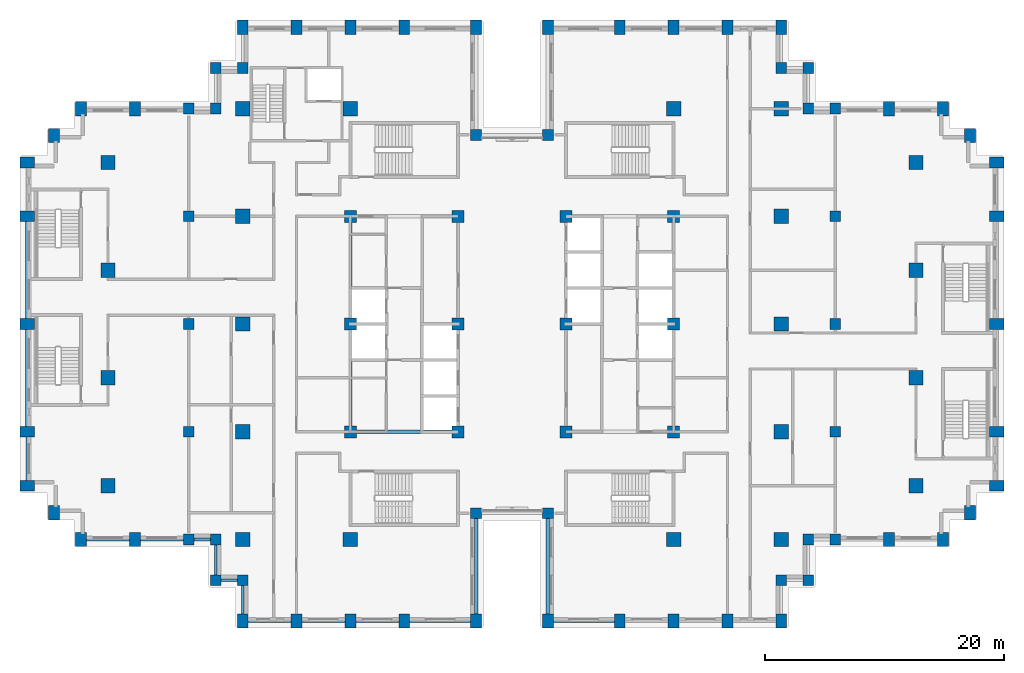
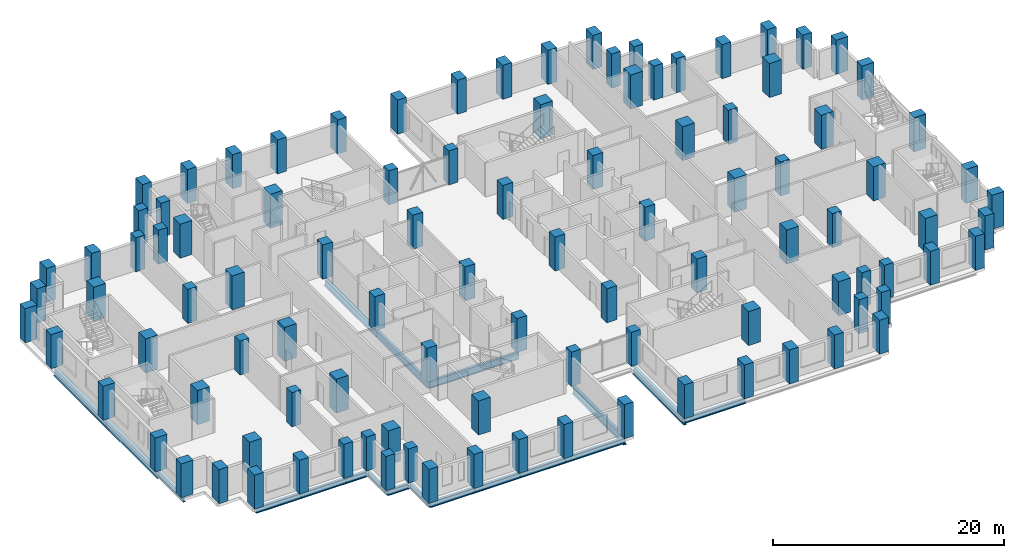
# One storey, part 1 of 16: 102 columns, 19 beams.
"""IFC4 building model written with IfcOpenShell, lengths in metres."""

import ifcopenshell
import ifcopenshell.guid

model = None  # the IFC model being written
_history = None  # IfcOwnerHistory: only IFC2X3 demands one
_inside = {}  # id of a spatial element -> (the spatial element, [elements in it])
_under = {}  # id of a project, library or spatial element -> (it, [spatial elements below it])
_declared = {}  # id of a project -> (the project, [libraries it declares])
_typed = {}  # id of a type object -> (the type object, [elements of that type])
_made_of = {}  # id of a material, layer set ... -> (it, [elements and type objects made of it])


def new_model(schema):
    """Start an empty IFC model of exactly this schema.

    Asked for "IFC4X3", IfcOpenShell would pick the latest addendum, in which some entities
    have other attributes; the version numbers below select the first issue.
    IFC2X3 requires an IfcOwnerHistory on every rooted entity: one is made here for all.
    """
    global model, _history
    if schema == "IFC4X3":
        model = ifcopenshell.file(schema_version=(4, 3, 0, 0))
    else:
        model = ifcopenshell.file(schema=schema)
    _inside.clear()
    _under.clear()
    _declared.clear()
    _typed.clear()
    _made_of.clear()
    _history = None
    if model.schema == "IFC2X3":
        org = make("IfcOrganization", Name="unknown")
        user = make(
            "IfcPersonAndOrganization",
            ThePerson=make("IfcPerson", FamilyName="unknown"),
            TheOrganization=org,
        )
        app = make(
            "IfcApplication",
            ApplicationDeveloper=org,
            Version="unknown",
            ApplicationFullName="unknown",
            ApplicationIdentifier="unknown",
        )
        _history = make(
            "IfcOwnerHistory",
            OwningUser=user,
            OwningApplication=app,
            ChangeAction="ADDED",
            CreationDate=0,
        )
    return model


def make(cls, **values):
    """One entity of the class cls with the attributes given. An attribute that is None is left unset."""
    return model.create_entity(
        cls, **{name: value for name, value in values.items() if value is not None}
    )


def rooted(cls, **values):
    """An entity with a GlobalId (a new one), such as an element, a storey or a relation."""
    return make(cls, GlobalId=ifcopenshell.guid.new(), OwnerHistory=_history, **values)


def si_unit(unit_type, name, prefix=None):
    """IfcSIUnit, for example si_unit("LENGTHUNIT", "METRE", prefix="MILLI")."""
    return make("IfcSIUnit", UnitType=unit_type, Prefix=prefix, Name=name)


def assignment(units):
    """IfcUnitAssignment: the units of a project."""
    return None if units is None else make("IfcUnitAssignment", Units=units)


def point(xyz):
    """IfcCartesianPoint."""
    return None if xyz is None else make("IfcCartesianPoint", Coordinates=xyz)


def direction(xyz):
    """IfcDirection."""
    return None if xyz is None else make("IfcDirection", DirectionRatios=xyz)


def frame(location, z_axis=None, x_axis=None):
    """IfcAxis2Placement3D, a coordinate frame: its origin and axes. An axis left out is left unset."""
    return make(
        "IfcAxis2Placement3D",
        Location=point(location),
        Axis=direction(z_axis),
        RefDirection=direction(x_axis),
    )


def frame_2d(location, x_axis=None):
    """IfcAxis2Placement2D, a coordinate frame in the plane: its origin and x axis."""
    return make(
        "IfcAxis2Placement2D", Location=point(location), RefDirection=direction(x_axis)
    )


def origin():
    """The frame at (0, 0, 0) with its axes left unset."""
    return frame((0.0, 0.0, 0.0))


def origin_2d():
    """The frame at (0, 0) in the plane with its x axis left unset."""
    return frame_2d((0.0, 0.0))


def place(relative_to, where):
    """IfcLocalPlacement: puts the frame where relative to a parent placement (None: the world)."""
    return make(
        "IfcLocalPlacement", PlacementRelTo=relative_to, RelativePlacement=where
    )


def context(
    kind, dimensions, precision=None, world=None, true_north=None, identifier=None
):
    """IfcGeometricRepresentationContext, for example the 3D "Model" context."""
    return make(
        "IfcGeometricRepresentationContext",
        ContextIdentifier=identifier,
        ContextType=kind,
        CoordinateSpaceDimension=dimensions,
        Precision=precision,
        WorldCoordinateSystem=world,
        TrueNorth=true_north,
    )


def subcontext(parent, identifier, kind, view, scale=None):
    """IfcGeometricRepresentationSubContext, for example "Body" below "Model"."""
    return make(
        "IfcGeometricRepresentationSubContext",
        ContextIdentifier=identifier,
        ContextType=kind,
        ParentContext=parent,
        TargetScale=scale,
        TargetView=view,
    )


def project(units=None, contexts=None):
    """IfcProject with its units and contexts."""
    return rooted(
        "IfcProject",
        Name="project",
        RepresentationContexts=contexts,
        UnitsInContext=assignment(units),
    )


def spatial(cls, under=None, at=None, **own):
    """A site, building, storey or space (cls), placed at a placement, below another one or the project."""
    s = rooted(cls, ObjectPlacement=at, **own)
    if under is not None:
        _under.setdefault(under.id(), (under, []))[1].append(s)
    return s


def profile(cls, at=None, kind="AREA", **sizes):
    """A parametric profile (cls). Its sizes go by their IFC names, for example OverallWidth=200.0."""
    return make(cls, ProfileType=kind, Position=at, **sizes)


def rectangle(**sizes):
    """IfcRectangleProfileDef."""
    return profile("IfcRectangleProfileDef", **sizes)


def i_section(**sizes):
    """IfcIShapeProfileDef."""
    return profile("IfcIShapeProfileDef", **sizes)


def extrude(swept, where, along, depth):
    """IfcExtrudedAreaSolid: the profile swept, set in the frame where, extruded along a direction by depth."""
    return make(
        "IfcExtrudedAreaSolid",
        SweptArea=swept,
        Position=where,
        ExtrudedDirection=direction(along),
        Depth=depth,
    )


def shape(context_of_items, identifier, shape_type, items):
    """IfcShapeRepresentation: the items that make up one representation, for example the "Body"."""
    return make(
        "IfcShapeRepresentation",
        ContextOfItems=context_of_items,
        RepresentationIdentifier=identifier,
        RepresentationType=shape_type,
        Items=items,
    )


def material(Name=None, Category=None):
    """IfcMaterial."""
    return make("IfcMaterial", Name=Name, Category=Category)


def material_profile(
    of_material, cross_section, Name=None, Category=None, Priority=None
):
    """IfcMaterialProfile: a cross section and its material."""
    return make(
        "IfcMaterialProfile",
        Name=Name,
        Material=of_material,
        Profile=cross_section,
        Priority=Priority,
        Category=Category,
    )


def profile_set(profiles, Name=None, composite=None):
    """IfcMaterialProfileSet."""
    return make(
        "IfcMaterialProfileSet",
        Name=Name,
        MaterialProfiles=profiles,
        CompositeProfile=composite,
    )


def made_of(thing, what):
    """Note that an element or type object is made of a material, layer set ...; save() writes the relation."""
    if what is not None:
        _made_of.setdefault(what.id(), (what, []))[1].append(thing)
    return thing


def type_object(cls, material=None, **own):
    """A type object (cls), such as IfcWallType, which elements share."""
    return made_of(rooted(cls, **own), material)


def element(
    cls,
    number,
    at=None,
    inside=None,
    cuts=None,
    type_object=None,
    material=None,
    context=None,
    identifier="Body",
    shape_type=None,
    held_by="IfcProductDefinitionShape",
    body=None,
    shapes=None,
    **own,
):
    """One element of the class cls, such as IfcWall. Its Tag is "e" and its number.

    at: its placement. inside: the storey or other place that contains it. cuts: it is an
    opening in that element (IfcRelVoidsElement). A single representation is given by context,
    identifier, shape_type and body (its items); several are given by shapes. held_by: the class
    of the entity that holds the representations. save() writes the other relations.
    """
    e = rooted(cls, Tag="e%d" % number, ObjectPlacement=at, **own)
    if body is not None:
        shapes = [shape(context, identifier, shape_type, body)]
    if shapes is not None:
        e.Representation = make(held_by, Representations=shapes)
    if inside is not None:
        _inside.setdefault(inside.id(), (inside, []))[1].append(e)
    if cuts is not None:
        rooted(
            "IfcRelVoidsElement", RelatingBuildingElement=cuts, RelatedOpeningElement=e
        )
    if type_object is not None:
        _typed.setdefault(type_object.id(), (type_object, []))[1].append(e)
    return made_of(e, material)


def aggregate(whole, parts):
    """IfcRelAggregates: a whole, such as a stair, and the parts it consists of."""
    return rooted("IfcRelAggregates", RelatingObject=whole, RelatedObjects=parts)


def save(model, path):
    """Write the relations noted so far, then the file.

    IfcRelAggregates (storeys below a building ...), IfcRelContainedInSpatialStructure (elements
    in a storey), IfcRelDefinesByType, IfcRelAssociatesMaterial and IfcRelDeclares: one each for
    every whole, place, type object, material and project.
    """
    for whole, parts in _under.values():
        aggregate(whole, parts)
    for where, things in _inside.values():
        rooted(
            "IfcRelContainedInSpatialStructure",
            RelatedElements=things,
            RelatingStructure=where,
        )
    for kind, things in _typed.values():
        rooted("IfcRelDefinesByType", RelatedObjects=things, RelatingType=kind)
    for what, things in _made_of.values():
        rooted("IfcRelAssociatesMaterial", RelatedObjects=things, RelatingMaterial=what)
    for by, libraries in _declared.values():
        rooted("IfcRelDeclares", RelatingContext=by, RelatedDefinitions=libraries)
    model.write(path)


model = new_model("IFC4")

# Units and contexts
model_context = context("Model", 3, precision=1e-05, world=origin(), true_north=direction((0.0, 1.0)))
body_context = subcontext(model_context, "Body", "Model", "MODEL_VIEW")
ifc_project = project(units=[si_unit("LENGTHUNIT", "METRE"), si_unit("AREAUNIT", "SQUARE_METRE"), si_unit("VOLUMEUNIT", "CUBIC_METRE"), si_unit("PLANEANGLEUNIT", "RADIAN"), si_unit("MASSUNIT", "GRAM", prefix="KILO")], contexts=[model_context])

# Site, building, storey
site_placement = place(None, origin())
site = spatial("IfcSite", under=ifc_project, at=site_placement, CompositionType="ELEMENT")
building_placement = place(site_placement, origin())
building = spatial("IfcBuilding", under=site, at=building_placement, Name="Corbelhall Arena Tower", CompositionType="ELEMENT")
storey_placement = place(building_placement, frame((0.0, 0.0, 116.0)))
storey = spatial("IfcBuildingStorey", under=building, at=storey_placement, Name="L21", CompositionType="ELEMENT", Elevation=116.0)

# Columns
ifc_material_1 = material(Name="Concrete C80/95", Category="concrete")
ifc_material_profile_1 = material_profile(ifc_material_1, rectangle(XDim=1.0, YDim=1.0, at=origin_2d()))
ifc_profile_set_1 = profile_set([ifc_material_profile_1], Name="Concrete C80/95")
column_type_1 = type_object("IfcColumnType", Name="ST-COL-RC 1000x1000", PredefinedType="COLUMN", material=ifc_profile_set_1)
for number, where, z_axis, x_axis, name in (
    (1, (4.5, 0.0, 0.0), (0.0, 0.0, 1.0), (1.0, 0.0, 0.0), "Column KE+0450+0000"),
    (2, (4.5, 9.0, 0.0), (0.0, 0.0, 1.0), (1.0, 0.0, 0.0), "Column KE+0450+0900"),
    (3, (4.5, -9.0, 0.0), (0.0, 0.0, 1.0), (1.0, 0.0, 0.0), "Column KE+0450-0900"),
    (4, (13.5, 0.0, 0.0), (0.0, 0.0, 1.0), (1.0, 0.0, 0.0), "Column KE+1350+0000"),
    (5, (13.5, 9.0, 0.0), (0.0, 0.0, 1.0), (1.0, 0.0, 0.0), "Column KE+1350+0900"),
    (6, (13.5, -9.0, 0.0), (0.0, 0.0, 1.0), (1.0, 0.0, 0.0), "Column KE+1350-0900"),
    (7, (-4.5, 0.0, 0.0), (0.0, 0.0, 1.0), (1.0, 0.0, 0.0), "Column KW-0450+0000"),
    (8, (-4.5, 9.0, 0.0), (0.0, 0.0, 1.0), (1.0, 0.0, 0.0), "Column KW-0450+0900"),
    (9, (-4.5, -9.0, 0.0), (0.0, 0.0, 1.0), (1.0, 0.0, 0.0), "Column KW-0450-0900"),
    (10, (-13.5, 0.0, 0.0), (0.0, 0.0, 1.0), (1.0, 0.0, 0.0), "Column KW-1350+0000"),
    (11, (-13.5, 9.0, 0.0), (0.0, 0.0, 1.0), (1.0, 0.0, 0.0), "Column KW-1350+0900"),
    (12, (-13.5, -9.0, 0.0), (0.0, 0.0, 1.0), (1.0, 0.0, 0.0), "Column KW-1350-0900"),
):
    element("IfcColumn", number, at=place(storey_placement, frame(where, z_axis=z_axis, x_axis=x_axis)), inside=storey, type_object=column_type_1, Name=name, PredefinedType="COLUMN", context=body_context, shape_type="SweptSolid", body=[
        extrude(rectangle(XDim=1.0, YDim=1.0, at=origin_2d()), origin(), (0.0, 0.0, 1.0), 3.599609375),
    ])
ifc_material_profile_2 = material_profile(ifc_material_1, rectangle(XDim=1.199951171875, YDim=1.199951171875, at=origin_2d()))
ifc_profile_set_2 = profile_set([ifc_material_profile_2], Name="Concrete C80/95")
column_type_2 = type_object("IfcColumnType", Name="ST-COL-RC 1200x1200", PredefinedType="COLUMN", material=ifc_profile_set_2)
for number, where, z_axis, x_axis, name in (
    (13, (-33.75, 4.5, 0.0), (0.0, 0.0, 1.0), (1.0, 0.0, 0.0), "Column FIC+0450"),
    (14, (-33.75, 13.5, 0.0), (0.0, 0.0, 1.0), (1.0, 0.0, 0.0), "Column FIC+1350"),
    (15, (-33.75, -4.5, 0.0), (0.0, 0.0, 1.0), (1.0, 0.0, 0.0), "Column FIC-0450"),
    (16, (-33.75, -13.5, 0.0), (0.0, 0.0, 1.0), (1.0, 0.0, 0.0), "Column FIC-1350"),
    (17, (33.75, 4.5, 0.0), (0.0, 0.0, 1.0), (1.0, 0.0, 0.0), "Column FID+0450"),
    (18, (33.75, 13.5, 0.0), (0.0, 0.0, 1.0), (1.0, 0.0, 0.0), "Column FID+1350"),
    (19, (33.75, -4.5, 0.0), (0.0, 0.0, 1.0), (1.0, 0.0, 0.0), "Column FID-0450"),
    (20, (33.75, -13.5, 0.0), (0.0, 0.0, 1.0), (1.0, 0.0, 0.0), "Column FID-1350"),
    (21, (13.5, 18.0, 0.0), (0.0, 0.0, 1.0), (1.0, 0.0, 0.0), "Column IE13+1800"),
    (22, (13.5, -18.0, 0.0), (0.0, 0.0, 1.0), (1.0, 0.0, 0.0), "Column IE13-1800"),
    (23, (22.5, 0.0, 0.0), (0.0, 0.0, 1.0), (1.0, 0.0, 0.0), "Column IE22+0000"),
    (24, (22.5, 9.0, 0.0), (0.0, 0.0, 1.0), (1.0, 0.0, 0.0), "Column IE22+0900"),
    (25, (22.5, 18.0, 0.0), (0.0, 0.0, 1.0), (1.0, 0.0, 0.0), "Column IE22+1800"),
    (26, (22.5, -9.0, 0.0), (0.0, 0.0, 1.0), (1.0, 0.0, 0.0), "Column IE22-0900"),
    (27, (22.5, -18.0, 0.0), (0.0, 0.0, 1.0), (1.0, 0.0, 0.0), "Column IE22-1800"),
    (28, (-13.5, 18.0, 0.0), (0.0, 0.0, 1.0), (1.0, 0.0, 0.0), "Column IW13+1800"),
    (29, (-13.5, -18.0, 0.0), (0.0, 0.0, 1.0), (1.0, 0.0, 0.0), "Column IW13-1800"),
    (30, (-22.5, 0.0, 0.0), (0.0, 0.0, 1.0), (1.0, 0.0, 0.0), "Column IW22+0000"),
    (31, (-22.5, 9.0, 0.0), (0.0, 0.0, 1.0), (1.0, 0.0, 0.0), "Column IW22+0900"),
    (32, (-22.5, 18.0, 0.0), (0.0, 0.0, 1.0), (1.0, 0.0, 0.0), "Column IW22+1800"),
    (33, (-22.5, -9.0, 0.0), (0.0, 0.0, 1.0), (1.0, 0.0, 0.0), "Column IW22-0900"),
    (34, (-22.5, -18.0, 0.0), (0.0, 0.0, 1.0), (1.0, 0.0, 0.0), "Column IW22-1800"),
):
    element("IfcColumn", number, at=place(storey_placement, frame(where, z_axis=z_axis, x_axis=x_axis)), inside=storey, type_object=column_type_2, Name=name, PredefinedType="COLUMN", context=body_context, shape_type="SweptSolid", body=[
        extrude(rectangle(XDim=1.199951171875, YDim=1.199951171875, at=origin_2d()), origin(), (0.0, 0.0, 1.0), 3.599609375),
    ])
ifc_material_profile_3 = material_profile(ifc_material_1, rectangle(XDim=0.89990234375, YDim=1.199951171875, at=origin_2d()))
ifc_profile_set_3 = profile_set([ifc_material_profile_3], Name="Concrete C80/95")
column_type_3 = type_object("IfcColumnType", Name="ST-COL-RC 900x1200", PredefinedType="COLUMN", material=ifc_profile_set_3)
for number, where, z_axis, x_axis, name in (
    (35, (-40.5, 0.0, 0.0), (0.0, 0.0, 1.0), (0.0, 1.0, 0.0), "Column FC+0000"),
    (36, (-40.5, 9.0, 0.0), (0.0, 0.0, 1.0), (0.0, 1.0, 0.0), "Column FC+0900"),
    (37, (-40.5, 13.5, 0.0), (0.0, 0.0, 1.0), (0.0, 1.0, 0.0), "Column FC+1350"),
    (38, (-40.5, -9.0, 0.0), (0.0, 0.0, 1.0), (0.0, 1.0, 0.0), "Column FC-0900"),
    (39, (-40.5, -13.5, 0.0), (0.0, 0.0, 1.0), (0.0, 1.0, 0.0), "Column FC-1350"),
    (40, (-38.25, 15.75, 0.0), (0.0, 0.0, 1.0), (1.0, 0.0, 0.0), "Column FCCN"),
    (41, (-38.25, -15.75, 0.0), (0.0, 0.0, 1.0), (1.0, 0.0, 0.0), "Column FCCS"),
    (42, (-31.5, 18.0, 0.0), (0.0, 0.0, 1.0), (1.0, 0.0, 0.0), "Column FCN3150"),
    (43, (-36.0, 18.0, 0.0), (0.0, 0.0, 1.0), (1.0, 0.0, 0.0), "Column FCN3600"),
    (44, (-31.5, -18.0, 0.0), (0.0, 0.0, 1.0), (1.0, 0.0, 0.0), "Column FCS3150"),
    (45, (-36.0, -18.0, 0.0), (0.0, 0.0, 1.0), (1.0, 0.0, 0.0), "Column FCS3600"),
    (46, (40.5, 0.0, 0.0), (0.0, 0.0, 1.0), (0.0, 1.0, 0.0), "Column FD+0000"),
    (47, (40.5, 9.0, 0.0), (0.0, 0.0, 1.0), (0.0, 1.0, 0.0), "Column FD+0900"),
    (48, (40.5, 13.5, 0.0), (0.0, 0.0, 1.0), (0.0, 1.0, 0.0), "Column FD+1350"),
    (49, (40.5, -9.0, 0.0), (0.0, 0.0, 1.0), (0.0, 1.0, 0.0), "Column FD-0900"),
    (50, (40.5, -13.5, 0.0), (0.0, 0.0, 1.0), (0.0, 1.0, 0.0), "Column FD-1350"),
    (51, (38.25, 15.75, 0.0), (0.0, 0.0, 1.0), (1.0, 0.0, 0.0), "Column FDCN"),
    (52, (38.25, -15.75, 0.0), (0.0, 0.0, 1.0), (1.0, 0.0, 0.0), "Column FDCS"),
    (53, (31.5, 18.0, 0.0), (0.0, 0.0, 1.0), (1.0, 0.0, 0.0), "Column FDN3150"),
    (54, (36.0, 18.0, 0.0), (0.0, 0.0, 1.0), (1.0, 0.0, 0.0), "Column FDN3600"),
    (55, (31.5, -18.0, 0.0), (0.0, 0.0, 1.0), (1.0, 0.0, 0.0), "Column FDS3150"),
    (56, (36.0, -18.0, 0.0), (0.0, 0.0, 1.0), (1.0, 0.0, 0.0), "Column FDS3600"),
    (57, (3.0, 24.800048828125, 0.0), (0.0, 0.0, 1.0), (1.0, 0.0, 0.0), "Column PNE0300"),
    (58, (9.0, 24.800048828125, 0.0), (0.0, 0.0, 1.0), (1.0, 0.0, 0.0), "Column PNE0900"),
    (59, (13.5, 24.800048828125, 0.0), (0.0, 0.0, 1.0), (1.0, 0.0, 0.0), "Column PNE1350"),
    (60, (18.0, 24.800048828125, 0.0), (0.0, 0.0, 1.0), (1.0, 0.0, 0.0), "Column PNE1800"),
    (61, (22.5, 24.800048828125, 0.0), (0.0, 0.0, 1.0), (1.0, 0.0, 0.0), "Column PNE2250"),
    (62, (-3.0, 24.800048828125, 0.0), (0.0, 0.0, 1.0), (1.0, 0.0, 0.0), "Column PNW0300"),
    (63, (-9.0, 24.800048828125, 0.0), (0.0, 0.0, 1.0), (1.0, 0.0, 0.0), "Column PNW0900"),
    (64, (-13.5, 24.800048828125, 0.0), (0.0, 0.0, 1.0), (1.0, 0.0, 0.0), "Column PNW1350"),
    (65, (-18.0, 24.800048828125, 0.0), (0.0, 0.0, 1.0), (1.0, 0.0, 0.0), "Column PNW1800"),
    (66, (-22.5, 24.800048828125, 0.0), (0.0, 0.0, 1.0), (1.0, 0.0, 0.0), "Column PNW2250"),
    (67, (3.0, -24.800048828125, 0.0), (0.0, 0.0, 1.0), (1.0, 0.0, 0.0), "Column PSE0300"),
    (68, (9.0, -24.800048828125, 0.0), (0.0, 0.0, 1.0), (1.0, 0.0, 0.0), "Column PSE0900"),
    (69, (13.5, -24.800048828125, 0.0), (0.0, 0.0, 1.0), (1.0, 0.0, 0.0), "Column PSE1350"),
    (70, (18.0, -24.800048828125, 0.0), (0.0, 0.0, 1.0), (1.0, 0.0, 0.0), "Column PSE1800"),
    (71, (22.5, -24.800048828125, 0.0), (0.0, 0.0, 1.0), (1.0, 0.0, 0.0), "Column PSE2250"),
    (72, (-3.0, -24.800048828125, 0.0), (0.0, 0.0, 1.0), (1.0, 0.0, 0.0), "Column PSW0300"),
    (73, (-9.0, -24.800048828125, 0.0), (0.0, 0.0, 1.0), (1.0, 0.0, 0.0), "Column PSW0900"),
    (74, (-13.5, -24.800048828125, 0.0), (0.0, 0.0, 1.0), (1.0, 0.0, 0.0), "Column PSW1350"),
    (75, (-18.0, -24.800048828125, 0.0), (0.0, 0.0, 1.0), (1.0, 0.0, 0.0), "Column PSW1800"),
    (76, (-22.5, -24.800048828125, 0.0), (0.0, 0.0, 1.0), (1.0, 0.0, 0.0), "Column PSW2250"),
):
    element("IfcColumn", number, at=place(storey_placement, frame(where, z_axis=z_axis, x_axis=x_axis)), inside=storey, type_object=column_type_3, Name=name, PredefinedType="COLUMN", context=body_context, shape_type="SweptSolid", body=[
        extrude(rectangle(XDim=0.89990234375, YDim=1.199951171875, at=origin_2d()), origin(), (0.0, 0.0, 1.0), 3.599609375),
    ])
ifc_material_profile_4 = material_profile(ifc_material_1, rectangle(XDim=0.89990234375, YDim=0.89990234375, at=origin_2d()))
ifc_profile_set_4 = profile_set([ifc_material_profile_4], Name="Concrete C80/95")
column_type_4 = type_object("IfcColumnType", Name="ST-COL-RC 900x900", PredefinedType="COLUMN", material=ifc_profile_set_4)
for number, where, z_axis, x_axis, name in (
    (77, (27.0, 0.0, 0.0), (0.0, 0.0, 1.0), (1.0, 0.0, 0.0), "Column PE+0000"),
    (78, (27.0, 9.0, 0.0), (0.0, 0.0, 1.0), (1.0, 0.0, 0.0), "Column PE+0900"),
    (79, (27.0, 18.0, 0.0), (0.0, 0.0, 1.0), (1.0, 0.0, 0.0), "Column PE+1800"),
    (80, (27.0, -9.0, 0.0), (0.0, 0.0, 1.0), (1.0, 0.0, 0.0), "Column PE-0900"),
    (81, (27.0, -18.0, 0.0), (0.0, 0.0, 1.0), (1.0, 0.0, 0.0), "Column PE-1800"),
    (82, (-27.0, 0.0, 0.0), (0.0, 0.0, 1.0), (1.0, 0.0, 0.0), "Column PW+0000"),
    (83, (-27.0, 9.0, 0.0), (0.0, 0.0, 1.0), (1.0, 0.0, 0.0), "Column PW+0900"),
    (84, (-27.0, 18.0, 0.0), (0.0, 0.0, 1.0), (1.0, 0.0, 0.0), "Column PW+1800"),
    (85, (-27.0, -9.0, 0.0), (0.0, 0.0, 1.0), (1.0, 0.0, 0.0), "Column PW-0900"),
    (86, (-27.0, -18.0, 0.0), (0.0, 0.0, 1.0), (1.0, 0.0, 0.0), "Column PW-1800"),
    (87, (3.0, 15.800048828125, 0.0), (0.0, 0.0, 1.0), (1.0, 0.0, 0.0), "Column SLNE2"),
    (88, (-3.0, 15.800048828125, 0.0), (0.0, 0.0, 1.0), (1.0, 0.0, 0.0), "Column SLNW2"),
    (89, (3.0, -15.800048828125, 0.0), (0.0, 0.0, 1.0), (1.0, 0.0, 0.0), "Column SLSE2"),
    (90, (-3.0, -15.800048828125, 0.0), (0.0, 0.0, 1.0), (1.0, 0.0, 0.0), "Column SLSW2"),
    (91, (22.5, 21.39990234375, 0.0), (0.0, 0.0, 1.0), (1.0, 0.0, 0.0), "Column XNE1"),
    (92, (24.75, 21.39990234375, 0.0), (0.0, 0.0, 1.0), (1.0, 0.0, 0.0), "Column XNE2"),
    (93, (24.75, 18.0, 0.0), (0.0, 0.0, 1.0), (1.0, 0.0, 0.0), "Column XNE3"),
    (94, (-22.5, 21.39990234375, 0.0), (0.0, 0.0, 1.0), (1.0, 0.0, 0.0), "Column XNW1"),
    (95, (-24.75, 21.39990234375, 0.0), (0.0, 0.0, 1.0), (1.0, 0.0, 0.0), "Column XNW2"),
    (96, (-24.75, 18.0, 0.0), (0.0, 0.0, 1.0), (1.0, 0.0, 0.0), "Column XNW3"),
    (97, (22.5, -21.39990234375, 0.0), (0.0, 0.0, 1.0), (1.0, 0.0, 0.0), "Column XSE1"),
    (98, (24.75, -21.39990234375, 0.0), (0.0, 0.0, 1.0), (1.0, 0.0, 0.0), "Column XSE2"),
    (99, (24.75, -18.0, 0.0), (0.0, 0.0, 1.0), (1.0, 0.0, 0.0), "Column XSE3"),
    (100, (-22.5, -21.39990234375, 0.0), (0.0, 0.0, 1.0), (1.0, 0.0, 0.0), "Column XSW1"),
    (101, (-24.75, -21.39990234375, 0.0), (0.0, 0.0, 1.0), (1.0, 0.0, 0.0), "Column XSW2"),
    (102, (-24.75, -18.0, 0.0), (0.0, 0.0, 1.0), (1.0, 0.0, 0.0), "Column XSW3"),
):
    element("IfcColumn", number, at=place(storey_placement, frame(where, z_axis=z_axis, x_axis=x_axis)), inside=storey, type_object=column_type_4, Name=name, PredefinedType="COLUMN", context=body_context, shape_type="SweptSolid", body=[
        extrude(rectangle(XDim=0.89990234375, YDim=0.89990234375, at=origin_2d()), origin(), (0.0, 0.0, 1.0), 3.599609375),
    ])

# Beams
ifc_material_2 = material(Name="Steel ASTM A992 Gr50", Category="steel")
ifc_material_profile_5 = material_profile(ifc_material_2, i_section(OverallWidth=0.2666015625, OverallDepth=0.761962890625, WebThickness=0.014404296875, FlangeThickness=0.021484375, at=origin_2d()))
ifc_profile_set_5 = profile_set([ifc_material_profile_5], Name="Steel ASTM A992 Gr50")
beam_type_1 = type_object("IfcBeamType", Name="ST-BEAM-W30x116", PredefinedType="BEAM", material=ifc_profile_set_5)
for number, where, z_axis, x_axis, name in (
    (103, (-13.5, -9.0, -0.680908203125), (0.0, 1.0, 0.0), (-1.0, 0.0, 0.0), "Beam CEW 1"),
    (104, (-13.5, 0.0, -0.680908203125), (0.0, 1.0, 0.0), (-1.0, 0.0, 0.0), "Beam CEW 2"),
    (105, (-13.5, -9.0, -0.680908203125), (1.0, 0.0, 0.0), (0.0, 1.0, 0.0), "Beam CEW 5"),
):
    element("IfcBeam", number, at=place(storey_placement, frame(where, z_axis=z_axis, x_axis=x_axis)), inside=storey, type_object=beam_type_1, Name=name, PredefinedType="BEAM", context=body_context, shape_type="SweptSolid", body=[
        extrude(i_section(OverallWidth=0.2666015625, OverallDepth=0.761962890625, WebThickness=0.014404296875, FlangeThickness=0.021484375, at=origin_2d()), origin(), (0.0, 0.0, 1.0), 9.0),
    ])
ifc_material_profile_6 = material_profile(ifc_material_2, i_section(OverallWidth=0.23046875, OverallDepth=0.6171875, WebThickness=0.01318359375, FlangeThickness=0.022216796875, at=origin_2d()))
ifc_profile_set_6 = profile_set([ifc_material_profile_6], Name="Steel ASTM A992 Gr50")
beam_type_2 = type_object("IfcBeamType", Name="ST-SPANDREL-W24x94", PredefinedType="SPANDREL", material=ifc_profile_set_6)
for number, where, z_axis, x_axis, name in (
    (106, (-40.5, -13.5, -0.608642578125), (0.0, 1.0, 0.0), (-1.0, 0.0, 0.0), "Beam SP 4"),
    (107, (-31.5, -18.0, -0.608642578125), (-1.0, 0.0, 0.0), (0.0, -1.0, 0.0), "Beam SP 7"),
):
    element("IfcBeam", number, at=place(storey_placement, frame(where, z_axis=z_axis, x_axis=x_axis)), inside=storey, type_object=beam_type_2, Name=name, PredefinedType="SPANDREL", context=body_context, shape_type="SweptSolid", body=[
        extrude(i_section(OverallWidth=0.23046875, OverallDepth=0.6171875, WebThickness=0.01318359375, FlangeThickness=0.022216796875, at=origin_2d()), origin(), (0.0, 0.0, 1.0), 4.5),
    ])
for number, where, z_axis, x_axis, name in (
    (108, (9.0, -24.800048828125, -0.608642578125), (-1.0, 0.0, 0.0), (0.0, -1.0, 0.0), "Beam SP 28"),
    (109, (-3.0, -24.800048828125, -0.608642578125), (-1.0, 0.0, 0.0), (0.0, -1.0, 0.0), "Beam SP 32"),
):
    element("IfcBeam", number, at=place(storey_placement, frame(where, z_axis=z_axis, x_axis=x_axis)), inside=storey, type_object=beam_type_2, Name=name, PredefinedType="SPANDREL", context=body_context, shape_type="SweptSolid", body=[
        extrude(i_section(OverallWidth=0.23046875, OverallDepth=0.6171875, WebThickness=0.01318359375, FlangeThickness=0.022216796875, at=origin_2d()), origin(), (0.0, 0.0, 1.0), 6.0),
    ])
for number, where, z_axis, x_axis, name in (
    (110, (-9.0, -24.800048828125, -0.608642578125), (-1.0, 0.0, 0.0), (0.0, -1.0, 0.0), "Beam SP 33"),
    (111, (-13.5, -24.800048828125, -0.608642578125), (-1.0, 0.0, 0.0), (0.0, -1.0, 0.0), "Beam SP 34"),
    (112, (-18.0, -24.800048828125, -0.608642578125), (-1.0, 0.0, 0.0), (0.0, -1.0, 0.0), "Beam SP 35"),
):
    element("IfcBeam", number, at=place(storey_placement, frame(where, z_axis=z_axis, x_axis=x_axis)), inside=storey, type_object=beam_type_2, Name=name, PredefinedType="SPANDREL", context=body_context, shape_type="SweptSolid", body=[
        extrude(i_section(OverallWidth=0.23046875, OverallDepth=0.6171875, WebThickness=0.01318359375, FlangeThickness=0.022216796875, at=origin_2d()), origin(), (0.0, 0.0, 1.0), 4.5),
    ])
beam_1_placement = place(storey_placement, frame((-22.5, -24.800048828125, -0.608642578125), z_axis=(0.0, 1.0, 0.0), x_axis=(-1.0, 0.0, 0.0)))
element("IfcBeam", 113, at=beam_1_placement, inside=storey, type_object=beam_type_2, Name="Beam SP 36", PredefinedType="SPANDREL", context=body_context, shape_type="SweptSolid", body=[
    extrude(i_section(OverallWidth=0.23046875, OverallDepth=0.6171875, WebThickness=0.01318359375, FlangeThickness=0.022216796875, at=origin_2d()), origin(), (0.0, 0.0, 1.0), 3.400146484375),
])
beam_2_placement = place(storey_placement, frame((-27.0, -18.0, -0.608642578125), z_axis=(-1.0, 0.0, 0.0), x_axis=(0.0, -1.0, 0.0)))
element("IfcBeam", 114, at=beam_2_placement, inside=storey, type_object=beam_type_2, Name="Beam SP 38", PredefinedType="SPANDREL", context=body_context, shape_type="SweptSolid", body=[
    extrude(i_section(OverallWidth=0.23046875, OverallDepth=0.6171875, WebThickness=0.01318359375, FlangeThickness=0.022216796875, at=origin_2d()), origin(), (0.0, 0.0, 1.0), 4.5),
])
beam_3_placement = place(storey_placement, frame((-22.5, -21.39990234375, -0.608642578125), z_axis=(-1.0, 0.0, 0.0), x_axis=(0.0, -1.0, 0.0)))
element("IfcBeam", 115, at=beam_3_placement, inside=storey, type_object=beam_type_2, Name="Beam SP 52", PredefinedType="SPANDREL", context=body_context, shape_type="SweptSolid", body=[
    extrude(i_section(OverallWidth=0.23046875, OverallDepth=0.6171875, WebThickness=0.01318359375, FlangeThickness=0.022216796875, at=origin_2d()), origin(), (0.0, 0.0, 1.0), 2.25),
])
beam_4_placement = place(storey_placement, frame((-24.75, -21.39990234375, -0.608642578125), z_axis=(0.0, 1.0, 0.0), x_axis=(-1.0, 0.0, 0.0)))
element("IfcBeam", 116, at=beam_4_placement, inside=storey, type_object=beam_type_2, Name="Beam SP 53", PredefinedType="SPANDREL", context=body_context, shape_type="SweptSolid", body=[
    extrude(i_section(OverallWidth=0.23046875, OverallDepth=0.6171875, WebThickness=0.01318359375, FlangeThickness=0.022216796875, at=origin_2d()), origin(), (0.0, 0.0, 1.0), 3.39990234375),
])
beam_5_placement = place(storey_placement, frame((-24.75, -18.0, -0.608642578125), z_axis=(-1.0, 0.0, 0.0), x_axis=(0.0, -1.0, 0.0)))
element("IfcBeam", 117, at=beam_5_placement, inside=storey, type_object=beam_type_2, Name="Beam SP 54", PredefinedType="SPANDREL", context=body_context, shape_type="SweptSolid", body=[
    extrude(i_section(OverallWidth=0.23046875, OverallDepth=0.6171875, WebThickness=0.01318359375, FlangeThickness=0.022216796875, at=origin_2d()), origin(), (0.0, 0.0, 1.0), 2.25),
])
ifc_material_profile_7 = material_profile(ifc_material_2, i_section(OverallWidth=0.2919921875, OverallDepth=0.845703125, WebThickness=0.015380859375, FlangeThickness=0.0244140625, at=origin_2d()))
ifc_profile_set_7 = profile_set([ifc_material_profile_7], Name="Steel ASTM A992 Gr50")
beam_type_3 = type_object("IfcBeamType", Name="ST-SPANDREL-W33x141", PredefinedType="SPANDREL", material=ifc_profile_set_7)
for number, where, z_axis, x_axis, name in (
    (118, (-40.5, 0.0, -0.722900390625), (0.0, 1.0, 0.0), (-1.0, 0.0, 0.0), "Beam SP 1"),
    (119, (-40.5, -9.0, -0.722900390625), (0.0, 1.0, 0.0), (-1.0, 0.0, 0.0), "Beam SP 3"),
    (120, (3.0, -24.800048828125, -0.722900390625), (0.0, 1.0, 0.0), (-1.0, 0.0, 0.0), "Beam SP 27"),
    (121, (-3.0, -15.800048828125, -0.722900390625), (0.0, -1.0, 0.0), (1.0, 0.0, 0.0), "Beam SP 42"),
):
    element("IfcBeam", number, at=place(storey_placement, frame(where, z_axis=z_axis, x_axis=x_axis)), inside=storey, type_object=beam_type_3, Name=name, PredefinedType="SPANDREL", context=body_context, shape_type="SweptSolid", body=[
        extrude(i_section(OverallWidth=0.2919921875, OverallDepth=0.845703125, WebThickness=0.015380859375, FlangeThickness=0.0244140625, at=origin_2d()), origin(), (0.0, 0.0, 1.0), 9.0),
    ])

save(model, "model.ifc")
